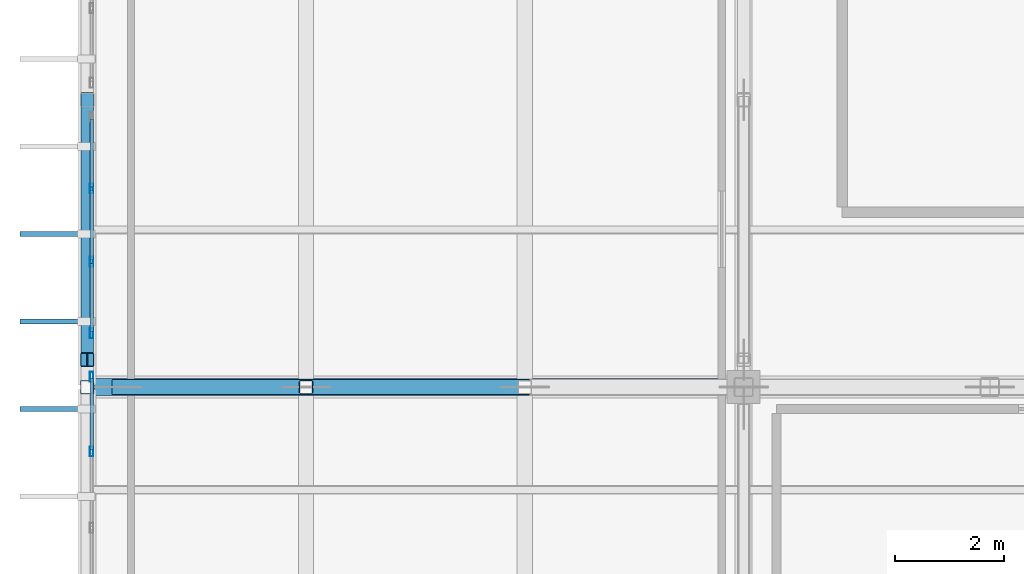
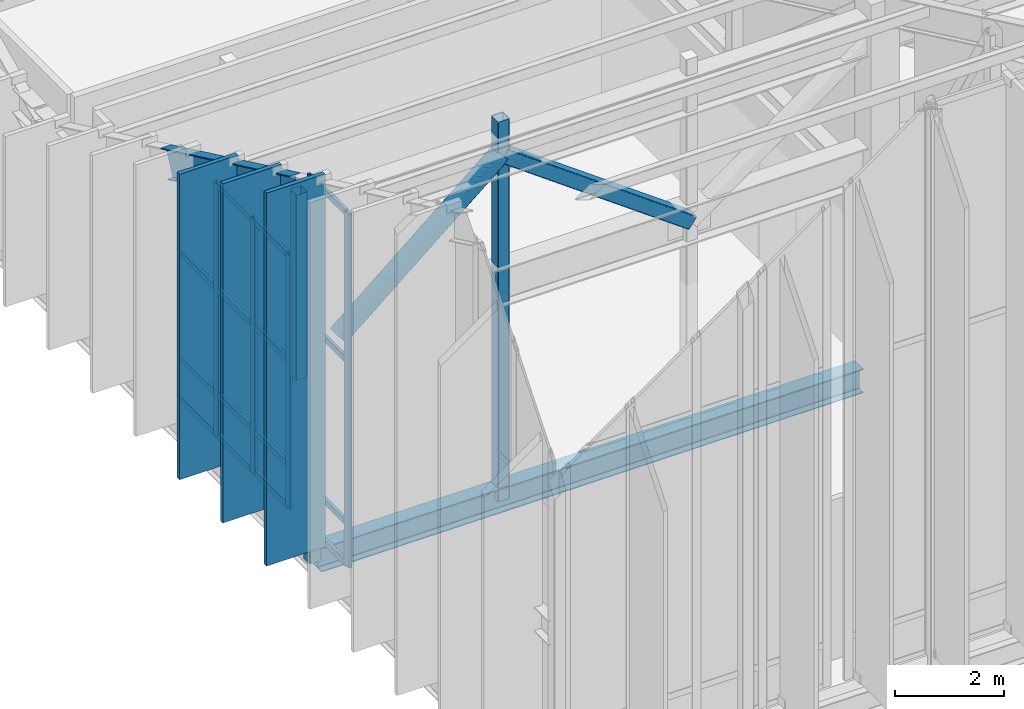
# One storey, part 9 of 68: 29 members, 2 beams, 2 elements without a shape of their own.
"""IFC4 building model written with IfcOpenShell, lengths in metres."""

from ifc_helpers import new_model, si_unit, direction, frame, origin, origin_2d, place, context, subcontext, project, spatial, rectangle, hollow_rectangle, i_section, extrude, material, material_profile, profile_set, type_object, element, aggregate, save


model = new_model("IFC4")

# Units and contexts
model_context = context("Model", 3, precision=1e-05, world=origin(), true_north=direction((0.0, 1.0)))
body_context = subcontext(model_context, "Body", "Model", "MODEL_VIEW")
ifc_project = project(units=[si_unit("LENGTHUNIT", "METRE"), si_unit("AREAUNIT", "SQUARE_METRE"), si_unit("VOLUMEUNIT", "CUBIC_METRE"), si_unit("PLANEANGLEUNIT", "RADIAN"), si_unit("MASSUNIT", "GRAM", prefix="KILO")], contexts=[model_context])

# Site, building, storey
site_placement = place(None, origin())
site = spatial("IfcSite", under=ifc_project, at=site_placement, CompositionType="ELEMENT")
building_placement = place(site_placement, origin())
building = spatial("IfcBuilding", under=site, at=building_placement, Name="Miravela Opera House", CompositionType="ELEMENT")
storey_placement = place(building_placement, frame((0.0, 0.0, 21.760009765625)))
storey = spatial("IfcBuildingStorey", under=building, at=storey_placement, Name="L05", CompositionType="ELEMENT", Elevation=21.760009765625)

# Curtain wall, members
ifc_material_1 = material(Name="Anodised architectural bronze aluminium 6063-T6", Category="aluminium")
curtain_wall_type = type_object("IfcCurtainWallType", Name="ARC-CW-03", PredefinedType="NOTDEFINED", material=ifc_material_1)
curtain_wall_1_placement = place(storey_placement, origin())
curtain_wall_1 = element("IfcCurtainWall", 1, at=curtain_wall_1_placement, inside=storey, type_object=curtain_wall_type, Name="Cantilever West Wrapper Glazing B2 CW-L05-048", PredefinedType="NOTDEFINED")
ifc_material_profile_1 = material_profile(ifc_material_1, hollow_rectangle(XDim=0.06494140625, YDim=0.179931640625, WallThickness=0.00390625, InnerFilletRadius=0.001953125, OuterFilletRadius=0.00390625, at=origin_2d()), Name="CWM-65X180")
ifc_profile_set_1 = profile_set([ifc_material_profile_1])
member_type_1 = type_object("IfcMemberType", Name="ARC-CWM-180", PredefinedType="MULLION", material=ifc_profile_set_1)
member_1_placement = place(storey_placement, frame((15.080078125, 44.8232421875, 0.0), z_axis=(0.0, 0.0, 1.0), x_axis=(-1.0, 0.0, 0.0)))
member_1 = element("IfcMember", 2, at=member_1_placement, type_object=member_type_1, Name="CW-03 mullion 3", PredefinedType="MULLION", context=body_context, shape_type="SweptSolid", body=[
    extrude(hollow_rectangle(XDim=0.06494140625, YDim=0.179931640625, WallThickness=0.00390625, InnerFilletRadius=0.001953125, OuterFilletRadius=0.00390625, at=origin_2d()), origin(), (0.0, 0.0, 1.0), 7.942626953125),
])
member_2_placement = place(storey_placement, frame((15.080078125, 46.1875, 0.0), z_axis=(0.0, 0.0, 1.0), x_axis=(-1.0, 0.0, 0.0)))
member_2 = element("IfcMember", 3, at=member_2_placement, type_object=member_type_1, Name="CW-03 mullion 4", PredefinedType="MULLION", context=body_context, shape_type="SweptSolid", body=[
    extrude(hollow_rectangle(XDim=0.06494140625, YDim=0.179931640625, WallThickness=0.00390625, InnerFilletRadius=0.001953125, OuterFilletRadius=0.00390625, at=origin_2d()), origin(), (0.0, 0.0, 1.0), 7.942626953125),
])

curtain_wall_2_placement = place(storey_placement, origin())
curtain_wall_2 = element("IfcCurtainWall", 4, at=curtain_wall_2_placement, inside=storey, type_object=curtain_wall_type, Name="Cantilever West Wrapper Glazing B3 CW-L05-049", PredefinedType="NOTDEFINED")
member_3_placement = place(storey_placement, frame((15.080078125, 46.982421875, 0.0), z_axis=(0.0, 0.0, 1.0), x_axis=(-1.0, 0.0, 0.0)))
member_3 = element("IfcMember", 5, at=member_3_placement, type_object=member_type_1, Name="CW-03 mullion 1", PredefinedType="MULLION", context=body_context, shape_type="SweptSolid", body=[
    extrude(hollow_rectangle(XDim=0.06494140625, YDim=0.179931640625, WallThickness=0.00390625, InnerFilletRadius=0.001953125, OuterFilletRadius=0.00390625, at=origin_2d()), origin(), (0.0, 0.0, 1.0), 5.692626953125),
])
member_4_placement = place(storey_placement, frame((15.080078125, 48.2900390625, 0.0), z_axis=(0.0, 0.0, 1.0), x_axis=(-1.0, 0.0, 0.0)))
member_4 = element("IfcMember", 6, at=member_4_placement, type_object=member_type_1, Name="CW-03 mullion 2", PredefinedType="MULLION", context=body_context, shape_type="SweptSolid", body=[
    extrude(hollow_rectangle(XDim=0.06494140625, YDim=0.179931640625, WallThickness=0.00390625, InnerFilletRadius=0.001953125, OuterFilletRadius=0.00390625, at=origin_2d()), origin(), (0.0, 0.0, 1.0), 5.692626953125),
])
member_5_placement = place(storey_placement, frame((15.080078125, 49.6298828125, 0.0), z_axis=(0.0, 0.0, 1.0), x_axis=(-1.0, 0.0, 0.0)))
member_5 = element("IfcMember", 7, at=member_5_placement, type_object=member_type_1, Name="CW-03 mullion 3", PredefinedType="MULLION", context=body_context, shape_type="SweptSolid", body=[
    extrude(hollow_rectangle(XDim=0.06494140625, YDim=0.179931640625, WallThickness=0.00390625, InnerFilletRadius=0.001953125, OuterFilletRadius=0.00390625, at=origin_2d()), origin(), (0.0, 0.0, 1.0), 5.692626953125),
])

# Member
ifc_material_profile_2 = material_profile(ifc_material_1, hollow_rectangle(XDim=0.06494140625, YDim=0.139892578125, WallThickness=0.00390625, InnerFilletRadius=0.001953125, OuterFilletRadius=0.00390625, at=origin_2d()), Name="CWT-65X140")
ifc_profile_set_2 = profile_set([ifc_material_profile_2])
member_type_2 = type_object("IfcMemberType", Name="ARC-CWT-140", PredefinedType="USERDEFINED", material=ifc_profile_set_2)
member_6_placement = place(storey_placement, frame((15.080078125, 44.855712890625, 0.032470703125), z_axis=(0.0, 1.0, 0.0), x_axis=(-1.0, 0.0, 0.0)))
member_6 = element("IfcMember", 8, at=member_6_placement, type_object=member_type_2, Name="CW-03 transom 3.1", ObjectType="TRANSOM", PredefinedType="USERDEFINED", context=body_context, shape_type="SweptSolid", body=[
    extrude(hollow_rectangle(XDim=0.06494140625, YDim=0.139892578125, WallThickness=0.00390625, InnerFilletRadius=0.001953125, OuterFilletRadius=0.00390625, at=origin_2d()), origin(), (0.0, 0.0, 1.0), 1.29931640625),
])

member_7_placement = place(storey_placement, frame((15.080078125, 44.855712890625, 0.949951171875), z_axis=(0.0, 1.0, 0.0), x_axis=(-1.0, 0.0, 0.0)))
member_7 = element("IfcMember", 9, at=member_7_placement, type_object=member_type_2, Name="CW-03 transom 3.2", ObjectType="TRANSOM", PredefinedType="USERDEFINED", context=body_context, shape_type="SweptSolid", body=[
    extrude(hollow_rectangle(XDim=0.06494140625, YDim=0.139892578125, WallThickness=0.00390625, InnerFilletRadius=0.001953125, OuterFilletRadius=0.00390625, at=origin_2d()), origin(), (0.0, 0.0, 1.0), 1.29931640625),
])

member_8_placement = place(storey_placement, frame((15.080078125, 44.855712890625, 4.606689453125), z_axis=(0.0, 1.0, 0.0), x_axis=(-1.0, 0.0, 0.0)))
member_8 = element("IfcMember", 10, at=member_8_placement, type_object=member_type_2, Name="CW-03 transom 3.3", ObjectType="TRANSOM", PredefinedType="USERDEFINED", context=body_context, shape_type="SweptSolid", body=[
    extrude(hollow_rectangle(XDim=0.06494140625, YDim=0.139892578125, WallThickness=0.00390625, InnerFilletRadius=0.001953125, OuterFilletRadius=0.00390625, at=origin_2d()), origin(), (0.0, 0.0, 1.0), 1.29931640625),
])

member_9_placement = place(storey_placement, frame((15.080078125, 44.855712890625, 7.91015625), z_axis=(0.0, 1.0, 0.0), x_axis=(-1.0, 0.0, 0.0)))
member_9 = element("IfcMember", 11, at=member_9_placement, type_object=member_type_2, Name="CW-03 transom 3.4", ObjectType="TRANSOM", PredefinedType="USERDEFINED", context=body_context, shape_type="SweptSolid", body=[
    extrude(hollow_rectangle(XDim=0.06494140625, YDim=0.139892578125, WallThickness=0.00390625, InnerFilletRadius=0.001953125, OuterFilletRadius=0.00390625, at=origin_2d()), origin(), (0.0, 0.0, 1.0), 1.29931640625),
])

aggregate(curtain_wall_1, [member_1, member_2, member_6, member_7, member_8, member_9])

member_10_placement = place(storey_placement, frame((15.080078125, 47.014892578125, 0.032470703125), z_axis=(0.0, 1.0, 0.0), x_axis=(-1.0, 0.0, 0.0)))
member_10 = element("IfcMember", 12, at=member_10_placement, type_object=member_type_2, Name="CW-03 transom 1.1", ObjectType="TRANSOM", PredefinedType="USERDEFINED", context=body_context, shape_type="SweptSolid", body=[
    extrude(hollow_rectangle(XDim=0.06494140625, YDim=0.139892578125, WallThickness=0.00390625, InnerFilletRadius=0.001953125, OuterFilletRadius=0.00390625, at=origin_2d()), origin(), (0.0, 0.0, 1.0), 1.24267578125),
])

member_11_placement = place(storey_placement, frame((15.080078125, 47.014892578125, 0.949951171875), z_axis=(0.0, 1.0, 0.0), x_axis=(-1.0, 0.0, 0.0)))
member_11 = element("IfcMember", 13, at=member_11_placement, type_object=member_type_2, Name="CW-03 transom 1.2", ObjectType="TRANSOM", PredefinedType="USERDEFINED", context=body_context, shape_type="SweptSolid", body=[
    extrude(hollow_rectangle(XDim=0.06494140625, YDim=0.139892578125, WallThickness=0.00390625, InnerFilletRadius=0.001953125, OuterFilletRadius=0.00390625, at=origin_2d()), origin(), (0.0, 0.0, 1.0), 1.24267578125),
])

member_12_placement = place(storey_placement, frame((15.080078125, 47.014892578125, 3.3017578125), z_axis=(0.0, 1.0, 0.0), x_axis=(-1.0, 0.0, 0.0)))
member_12 = element("IfcMember", 14, at=member_12_placement, type_object=member_type_2, Name="CW-03 transom 1.3", ObjectType="TRANSOM", PredefinedType="USERDEFINED", context=body_context, shape_type="SweptSolid", body=[
    extrude(hollow_rectangle(XDim=0.06494140625, YDim=0.139892578125, WallThickness=0.00390625, InnerFilletRadius=0.001953125, OuterFilletRadius=0.00390625, at=origin_2d()), origin(), (0.0, 0.0, 1.0), 1.24267578125),
])

member_13_placement = place(storey_placement, frame((15.080078125, 47.014892578125, 5.66015625), z_axis=(0.0, 1.0, 0.0), x_axis=(-1.0, 0.0, 0.0)))
member_13 = element("IfcMember", 15, at=member_13_placement, type_object=member_type_2, Name="CW-03 transom 1.4", ObjectType="TRANSOM", PredefinedType="USERDEFINED", context=body_context, shape_type="SweptSolid", body=[
    extrude(hollow_rectangle(XDim=0.06494140625, YDim=0.139892578125, WallThickness=0.00390625, InnerFilletRadius=0.001953125, OuterFilletRadius=0.00390625, at=origin_2d()), origin(), (0.0, 0.0, 1.0), 1.24267578125),
])

member_14_placement = place(storey_placement, frame((15.080078125, 48.322509765625, 0.032470703125), z_axis=(0.0, 1.0, 0.0), x_axis=(-1.0, 0.0, 0.0)))
member_14 = element("IfcMember", 16, at=member_14_placement, type_object=member_type_2, Name="CW-03 transom 2.1", ObjectType="TRANSOM", PredefinedType="USERDEFINED", context=body_context, shape_type="SweptSolid", body=[
    extrude(hollow_rectangle(XDim=0.06494140625, YDim=0.139892578125, WallThickness=0.00390625, InnerFilletRadius=0.001953125, OuterFilletRadius=0.00390625, at=origin_2d()), origin(), (0.0, 0.0, 1.0), 1.27490234375),
])

member_15_placement = place(storey_placement, frame((15.080078125, 48.322509765625, 0.949951171875), z_axis=(0.0, 1.0, 0.0), x_axis=(-1.0, 0.0, 0.0)))
member_15 = element("IfcMember", 17, at=member_15_placement, type_object=member_type_2, Name="CW-03 transom 2.2", ObjectType="TRANSOM", PredefinedType="USERDEFINED", context=body_context, shape_type="SweptSolid", body=[
    extrude(hollow_rectangle(XDim=0.06494140625, YDim=0.139892578125, WallThickness=0.00390625, InnerFilletRadius=0.001953125, OuterFilletRadius=0.00390625, at=origin_2d()), origin(), (0.0, 0.0, 1.0), 1.27490234375),
])

member_16_placement = place(storey_placement, frame((15.080078125, 48.322509765625, 3.3017578125), z_axis=(0.0, 1.0, 0.0), x_axis=(-1.0, 0.0, 0.0)))
member_16 = element("IfcMember", 18, at=member_16_placement, type_object=member_type_2, Name="CW-03 transom 2.3", ObjectType="TRANSOM", PredefinedType="USERDEFINED", context=body_context, shape_type="SweptSolid", body=[
    extrude(hollow_rectangle(XDim=0.06494140625, YDim=0.139892578125, WallThickness=0.00390625, InnerFilletRadius=0.001953125, OuterFilletRadius=0.00390625, at=origin_2d()), origin(), (0.0, 0.0, 1.0), 1.27490234375),
])

member_17_placement = place(storey_placement, frame((15.080078125, 48.322509765625, 5.66015625), z_axis=(0.0, 1.0, 0.0), x_axis=(-1.0, 0.0, 0.0)))
member_17 = element("IfcMember", 19, at=member_17_placement, type_object=member_type_2, Name="CW-03 transom 2.4", ObjectType="TRANSOM", PredefinedType="USERDEFINED", context=body_context, shape_type="SweptSolid", body=[
    extrude(hollow_rectangle(XDim=0.06494140625, YDim=0.139892578125, WallThickness=0.00390625, InnerFilletRadius=0.001953125, OuterFilletRadius=0.00390625, at=origin_2d()), origin(), (0.0, 0.0, 1.0), 1.27490234375),
])

member_18_placement = place(storey_placement, frame((15.080078125, 49.66259765625, 0.032470703125), z_axis=(0.0, 1.0, 0.0), x_axis=(-1.0, 0.0, 0.0)))
member_18 = element("IfcMember", 20, at=member_18_placement, type_object=member_type_2, Name="CW-03 transom 3.1", ObjectType="TRANSOM", PredefinedType="USERDEFINED", context=body_context, shape_type="SweptSolid", body=[
    extrude(hollow_rectangle(XDim=0.06494140625, YDim=0.139892578125, WallThickness=0.00390625, InnerFilletRadius=0.001953125, OuterFilletRadius=0.00390625, at=origin_2d()), origin(), (0.0, 0.0, 1.0), 1.242431640625),
])

member_19_placement = place(storey_placement, frame((15.080078125, 49.66259765625, 0.949951171875), z_axis=(0.0, 1.0, 0.0), x_axis=(-1.0, 0.0, 0.0)))
member_19 = element("IfcMember", 21, at=member_19_placement, type_object=member_type_2, Name="CW-03 transom 3.2", ObjectType="TRANSOM", PredefinedType="USERDEFINED", context=body_context, shape_type="SweptSolid", body=[
    extrude(hollow_rectangle(XDim=0.06494140625, YDim=0.139892578125, WallThickness=0.00390625, InnerFilletRadius=0.001953125, OuterFilletRadius=0.00390625, at=origin_2d()), origin(), (0.0, 0.0, 1.0), 1.242431640625),
])

member_20_placement = place(storey_placement, frame((15.080078125, 49.66259765625, 3.3017578125), z_axis=(0.0, 1.0, 0.0), x_axis=(-1.0, 0.0, 0.0)))
member_20 = element("IfcMember", 22, at=member_20_placement, type_object=member_type_2, Name="CW-03 transom 3.3", ObjectType="TRANSOM", PredefinedType="USERDEFINED", context=body_context, shape_type="SweptSolid", body=[
    extrude(hollow_rectangle(XDim=0.06494140625, YDim=0.139892578125, WallThickness=0.00390625, InnerFilletRadius=0.001953125, OuterFilletRadius=0.00390625, at=origin_2d()), origin(), (0.0, 0.0, 1.0), 1.242431640625),
])

member_21_placement = place(storey_placement, frame((15.080078125, 49.66259765625, 5.66015625), z_axis=(0.0, 1.0, 0.0), x_axis=(-1.0, 0.0, 0.0)))
member_21 = element("IfcMember", 23, at=member_21_placement, type_object=member_type_2, Name="CW-03 transom 3.4", ObjectType="TRANSOM", PredefinedType="USERDEFINED", context=body_context, shape_type="SweptSolid", body=[
    extrude(hollow_rectangle(XDim=0.06494140625, YDim=0.139892578125, WallThickness=0.00390625, InnerFilletRadius=0.001953125, OuterFilletRadius=0.00390625, at=origin_2d()), origin(), (0.0, 0.0, 1.0), 1.242431640625),
])

aggregate(curtain_wall_2, [member_3, member_4, member_5, member_10, member_11, member_12, member_13, member_14, member_15, member_16, member_17, member_18, member_19, member_20, member_21])

# Members
ifc_material_profile_3 = material_profile(ifc_material_1, rectangle(XDim=0.090087890625, YDim=1.25, at=origin_2d()), Name="FIN-1250X90")
ifc_profile_set_3 = profile_set([ifc_material_profile_3])
member_type_3 = type_object("IfcMemberType", Name="ARC-FIN-1250", PredefinedType="USERDEFINED", material=ifc_profile_set_3)
member_22_placement = place(storey_placement, frame((14.39501953125, 45.60009765625, 0.0), z_axis=(0.0, 0.0, 1.0), x_axis=(0.0, 1.0, 0.0)))
element("IfcMember", 24, at=member_22_placement, inside=storey, type_object=member_type_3, Name="Auditorium Wrapper Bronze Solar Fin FIN-L05-WEST-0146", ObjectType="FIN", PredefinedType="USERDEFINED", context=body_context, shape_type="SweptSolid", body=[
    extrude(rectangle(XDim=0.090087890625, YDim=1.25, at=origin_2d()), origin(), (0.0, 0.0, 1.0), 8.376220703125),
])
member_23_placement = place(storey_placement, frame((14.39501953125, 47.199951171875, 0.0), z_axis=(0.0, 0.0, 1.0), x_axis=(0.0, 1.0, 0.0)))
element("IfcMember", 25, at=member_23_placement, inside=storey, type_object=member_type_3, Name="Auditorium Wrapper Bronze Solar Fin FIN-L05-WEST-0147", ObjectType="FIN", PredefinedType="USERDEFINED", context=body_context, shape_type="SweptSolid", body=[
    extrude(rectangle(XDim=0.090087890625, YDim=1.25, at=origin_2d()), origin(), (0.0, 0.0, 1.0), 7.618408203125),
])
member_24_placement = place(storey_placement, frame((14.39501953125, 48.800048828125, 0.0), z_axis=(0.0, 0.0, 1.0), x_axis=(0.0, 1.0, 0.0)))
element("IfcMember", 26, at=member_24_placement, inside=storey, type_object=member_type_3, Name="Auditorium Wrapper Bronze Solar Fin FIN-L05-WEST-0148", ObjectType="FIN", PredefinedType="USERDEFINED", context=body_context, shape_type="SweptSolid", body=[
    extrude(rectangle(XDim=0.090087890625, YDim=1.25, at=origin_2d()), origin(), (0.0, 0.0, 1.0), 6.860595703125),
])

# Beams
ifc_material_2 = material(Name="Structural steel ASTM A992 Gr. 50", Category="steel")
ifc_material_profile_4 = material_profile(ifc_material_2, i_section(OverallWidth=0.31201171875, OverallDepth=0.54296875, WebThickness=0.0126953125, FlangeThickness=0.020263671875, FilletRadius=0.01611328125, at=origin_2d()), Name="W530X150")
ifc_profile_set_4 = profile_set([ifc_material_profile_4])
beam_type_1 = type_object("IfcBeamType", Name="STR-BM-W530X150", PredefinedType="BEAM", material=ifc_profile_set_4)
beam_1_placement = place(storey_placement, frame((15.110107421875, 46.0, -0.511474609375), z_axis=(1.0, 0.0, 0.0), x_axis=(0.0, 1.0, 0.0)))
element("IfcBeam", 27, at=beam_1_placement, inside=storey, type_object=beam_type_1, Name="Cantilever Chord L05 T2", PredefinedType="BEAM", context=body_context, shape_type="SweptSolid", body=[
    extrude(i_section(OverallWidth=0.31201171875, OverallDepth=0.54296875, WebThickness=0.0126953125, FlangeThickness=0.020263671875, FilletRadius=0.01611328125, at=origin_2d()), origin(), (0.0, 0.0, 1.0), 11.510009765625),
])
ifc_material_profile_5 = material_profile(ifc_material_2, i_section(OverallWidth=0.22998046875, OverallDepth=0.616943359375, WebThickness=0.01318359375, FlangeThickness=0.022216796875, FilletRadius=0.01806640625, at=origin_2d()), Name="W610X140")
ifc_profile_set_5 = profile_set([ifc_material_profile_5])
beam_type_2 = type_object("IfcBeamType", Name="STR-BM-W610X140", PredefinedType="BEAM", material=ifc_profile_set_5)
beam_2_placement = place(storey_placement, frame((15.0, 46.5, 7.439453125), z_axis=(0.0, 0.903737838894, -0.428086344739), x_axis=(-1.0, 0.0, 0.0)))
element("IfcBeam", 28, at=beam_2_placement, inside=storey, type_object=beam_type_2, Name="V-Crest Roof Rafter Girder X=15 Seg 3", PredefinedType="BEAM", context=body_context, shape_type="SweptSolid", body=[
    extrude(i_section(OverallWidth=0.22998046875, OverallDepth=0.616943359375, WebThickness=0.01318359375, FlangeThickness=0.022216796875, FilletRadius=0.01806640625, at=origin_2d()), origin(), (0.0, 0.0, 1.0), 5.255859375),
])

# Members
ifc_material_3 = material(Name="Hollow structural steel ASTM A500 Gr. C", Category="steel")
ifc_material_profile_6 = material_profile(ifc_material_3, hollow_rectangle(XDim=0.300048828125, YDim=0.300048828125, WallThickness=0.01611328125, InnerFilletRadius=0.01611328125, OuterFilletRadius=0.031982421875, at=origin_2d()), Name="HSS300X300X16")
ifc_profile_set_6 = profile_set([ifc_material_profile_6])
member_type_4 = type_object("IfcMemberType", Name="STR-MEM-CANT-DIAG", PredefinedType="BRACE", material=ifc_profile_set_6)
member_25_placement = place(storey_placement, frame((15.550048828125, 46.0, 4.2900390625), z_axis=(0.765492457934, 0.0, 0.643444866983), x_axis=(0.0, 1.0, 0.0)))
element("IfcMember", 29, at=member_25_placement, inside=storey, type_object=member_type_4, Name="Cantilever Truss CT-02 Attic Web Diagonal 1", PredefinedType="BRACE", context=body_context, shape_type="SweptSolid", body=[
    extrude(hollow_rectangle(XDim=0.300048828125, YDim=0.300048828125, WallThickness=0.01611328125, InnerFilletRadius=0.01611328125, OuterFilletRadius=0.031982421875, at=origin_2d()), origin(), (0.0, 0.0, 1.0), 4.5068359375),
])
member_26_placement = place(storey_placement, frame((19.0, 46.0, 7.18994140625), z_axis=(0.809619836444, 0.0, -0.586954615312), x_axis=(0.0, 1.0, 0.0)))
element("IfcMember", 30, at=member_26_placement, inside=storey, type_object=member_type_4, Name="Cantilever Truss CT-02 Attic Web Diagonal 2", PredefinedType="BRACE", context=body_context, shape_type="SweptSolid", body=[
    extrude(hollow_rectangle(XDim=0.300048828125, YDim=0.300048828125, WallThickness=0.01611328125, InnerFilletRadius=0.01611328125, OuterFilletRadius=0.031982421875, at=origin_2d()), origin(), (0.0, 0.0, 1.0), 4.940673828125),
])
ifc_material_profile_7 = material_profile(ifc_material_3, hollow_rectangle(XDim=0.25, YDim=0.25, WallThickness=0.011962890625, InnerFilletRadius=0.011962890625, OuterFilletRadius=0.02392578125, at=origin_2d()), Name="HSS250X250X12")
ifc_profile_set_7 = profile_set([ifc_material_profile_7])
member_type_5 = type_object("IfcMemberType", Name="STR-MEM-CANT-POST2", PredefinedType="POST", material=ifc_profile_set_7)
for number, where, z_axis, x_axis, name in (
    (31, (15.0, 46.0, -0.5400390625), (0.0, 0.0, 1.0), (1.0, 0.0, 0.0), "Upper Wrapper Truss Post L05 X=15.0"),
    (32, (19.0, 46.0, -0.5400390625), (0.0, 0.0, 1.0), (1.0, 0.0, 0.0), "Upper Wrapper Truss Post L05 X=19.0"),
):
    element("IfcMember", number, at=place(storey_placement, frame(where, z_axis=z_axis, x_axis=x_axis)), inside=storey, type_object=member_type_5, Name=name, PredefinedType="POST", context=body_context, shape_type="SweptSolid", body=[
        extrude(hollow_rectangle(XDim=0.25, YDim=0.25, WallThickness=0.011962890625, InnerFilletRadius=0.011962890625, OuterFilletRadius=0.02392578125, at=origin_2d()), origin(), (0.0, 0.0, 1.0), 8.52685546875),
    ])
member_27_placement = place(storey_placement, frame((15.0, 46.5, 3.280029296875), z_axis=(0.0, 0.0, 1.0), x_axis=(1.0, 0.0, 0.0)))
element("IfcMember", 33, at=member_27_placement, inside=storey, type_object=member_type_5, Name="V-Crest Roof Truss Panel Post X=15 Node 2", PredefinedType="POST", context=body_context, shape_type="SweptSolid", body=[
    extrude(hollow_rectangle(XDim=0.25, YDim=0.25, WallThickness=0.011962890625, InnerFilletRadius=0.011962890625, OuterFilletRadius=0.02392578125, at=origin_2d()), origin(), (0.0, 0.0, 1.0), 4.159912109375),
])

save(model, "model.ifc")
